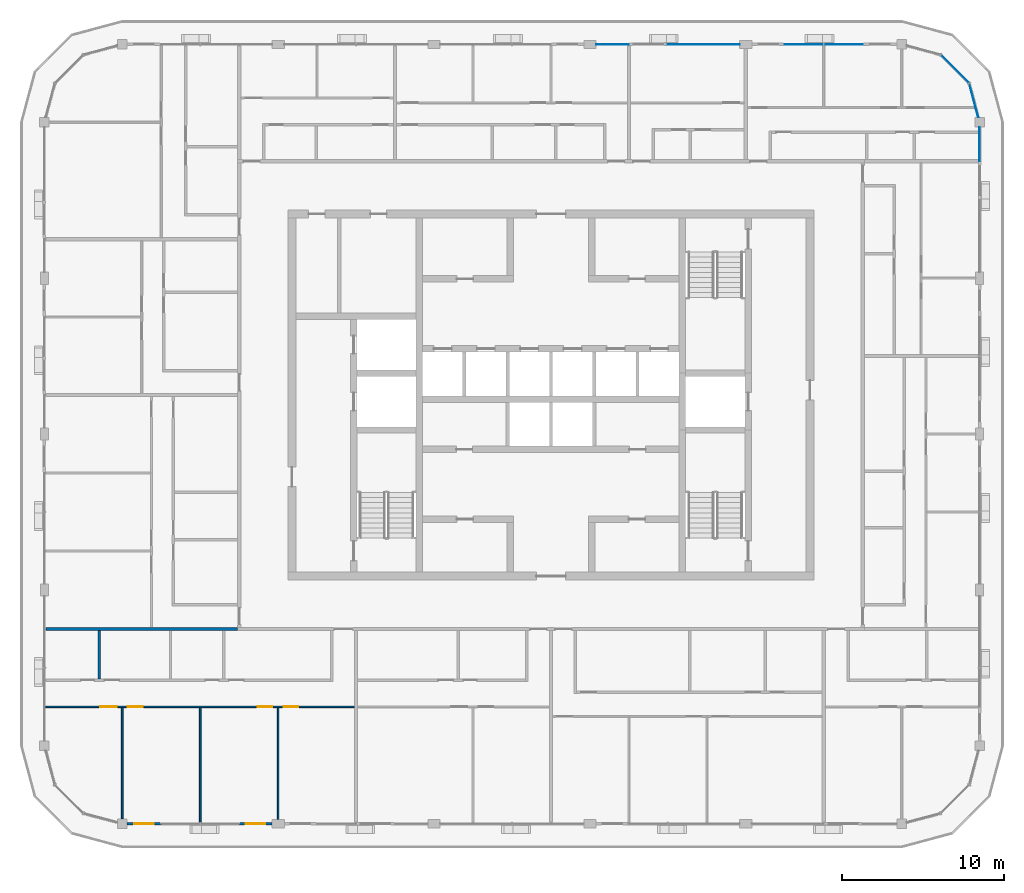
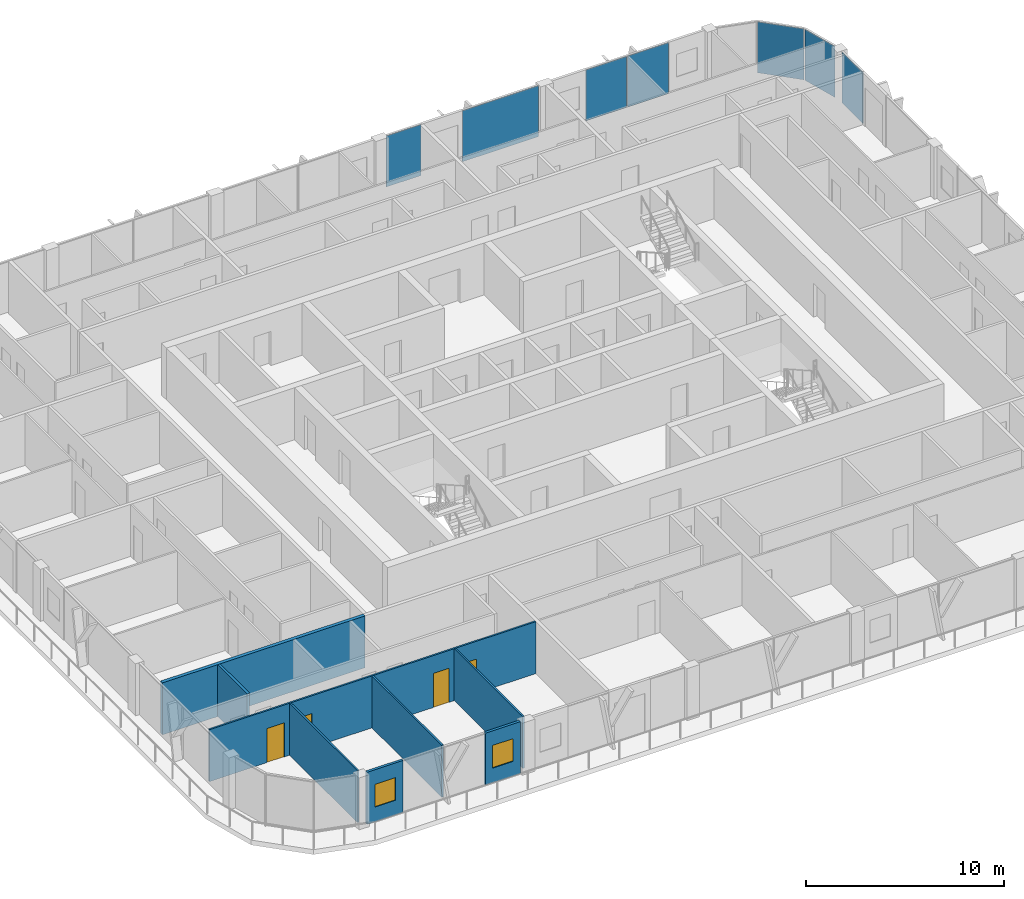
# One storey, part 8 of 21: 8 walls, 7 plates, 4 doors, 2 windows, 6 openings, 4 elements without a shape of their own.
"""IFC4 building model written with IfcOpenShell, lengths in metres."""

from ifc_helpers import new_model, si_unit, direction, frame, frame_2d, origin, origin_2d, place, context, subcontext, project, spatial, rectangle, extrude, material, layer, layer_set, type_object, element, fill, aggregate, save


model = new_model("IFC4")

# Units and contexts
model_context = context("Model", 3, precision=1e-05, world=origin(), true_north=direction((0.0, 1.0)))
body_context = subcontext(model_context, "Body", "Model", "MODEL_VIEW")
ifc_project = project(units=[si_unit("LENGTHUNIT", "METRE"), si_unit("AREAUNIT", "SQUARE_METRE"), si_unit("VOLUMEUNIT", "CUBIC_METRE"), si_unit("PLANEANGLEUNIT", "RADIAN"), si_unit("MASSUNIT", "GRAM", prefix="KILO")], contexts=[model_context])

# Site, building, storey
site_placement = place(None, origin())
site = spatial("IfcSite", under=ifc_project, at=site_placement, CompositionType="ELEMENT")
building_placement = place(site_placement, origin())
building = spatial("IfcBuilding", under=site, at=building_placement, Name="Madar Terraces", CompositionType="ELEMENT")
storey_placement = place(building_placement, frame((0.0, 0.0, 275.60009765625)))
storey = spatial("IfcBuildingStorey", under=building, at=storey_placement, Name="L72", CompositionType="ELEMENT", Elevation=275.60009765625)

# Curtain wall, plate
ifc_material_1 = material(Name="Glass, ceramic frit dark grey, with black aluminium frame", Category="aluminium")
ifc_layer_1 = layer(ifc_material_1, 0.199951171875)
ifc_layer_set_1 = layer_set([ifc_layer_1], Name="Facade curtain wall, fritted glass")
curtain_wall_type = type_object("IfcCurtainWallType", Name="Facade curtain wall, fritted glass", PredefinedType="NOTDEFINED", material=ifc_layer_set_1)
curtain_wall_1_placement = place(storey_placement, origin())
curtain_wall_1 = element("IfcCurtainWall", 1, at=curtain_wall_1_placement, inside=storey, type_object=curtain_wall_type, Name="Outer skin curtain wall east bay 4", PredefinedType="NOTDEFINED")
ifc_material_2 = material(Name="Glass, ceramic frit dark grey", Category="glass")
ifc_layer_2 = layer(ifc_material_2, 0.028076171875)
ifc_layer_set_2 = layer_set([ifc_layer_2], Name="Facade glass panel 28")
plate_type = type_object("IfcPlateType", Name="Facade glass panel 28", PredefinedType="CURTAIN_PANEL", material=ifc_layer_set_2)
plate_1_placement = place(storey_placement, frame((57.60009765625, 41.85009765625, 0.0), z_axis=(0.0, 0.0, 1.0), x_axis=(0.0, 1.0, 0.0)))
plate_1 = element("IfcPlate", 2, at=plate_1_placement, type_object=plate_type, Name="Panel 2", PredefinedType="CURTAIN_PANEL", context=body_context, shape_type="SweptSolid", body=[
    extrude(rectangle(XDim=2.10009765625, YDim=0.028076171875, at=origin_2d()), origin(), (0.0, 0.0, 1.0), 3.139892578125),
])
aggregate(curtain_wall_1, [plate_1])

# Curtain wall, plates
curtain_wall_2_placement = place(storey_placement, origin())
curtain_wall_2 = element("IfcCurtainWall", 3, at=curtain_wall_2_placement, inside=storey, type_object=curtain_wall_type, Name="Outer skin curtain wall north bay 1", PredefinedType="NOTDEFINED")
plate_2_placement = place(storey_placement, frame((49.215087890625, 48.0, 0.0), z_axis=(0.0, 0.0, 1.0), x_axis=(-1.0, 0.0, 0.0)))
plate_2 = element("IfcPlate", 4, at=plate_2_placement, type_object=plate_type, Name="Panel 1", PredefinedType="CURTAIN_PANEL", context=body_context, shape_type="SweptSolid", body=[
    extrude(rectangle(XDim=2.3701171875, YDim=0.028076171875, at=origin_2d()), origin(), (0.0, 0.0, 1.0), 3.139892578125),
])
plate_3_placement = place(storey_placement, frame((46.784912109375, 48.0, 0.0), z_axis=(0.0, 0.0, 1.0), x_axis=(-1.0, 0.0, 0.0)))
plate_3 = element("IfcPlate", 5, at=plate_3_placement, type_object=plate_type, Name="Panel 2", PredefinedType="CURTAIN_PANEL", context=body_context, shape_type="SweptSolid", body=[
    extrude(rectangle(XDim=2.3701171875, YDim=0.028076171875, at=origin_2d()), origin(), (0.0, 0.0, 1.0), 3.139892578125),
])
aggregate(curtain_wall_2, [plate_2, plate_3])

curtain_wall_3_placement = place(storey_placement, origin())
curtain_wall_3 = element("IfcCurtainWall", 6, at=curtain_wall_3_placement, inside=storey, type_object=curtain_wall_type, Name="Outer skin curtain wall north bay 2", PredefinedType="NOTDEFINED")
plate_4_placement = place(storey_placement, frame((40.612548828125, 48.0, 0.0), z_axis=(0.0, 0.0, 1.0), x_axis=(-1.0, 0.0, 0.0)))
plate_4 = element("IfcPlate", 7, at=plate_4_placement, type_object=plate_type, Name="Panel 1", PredefinedType="CURTAIN_PANEL", context=body_context, shape_type="SweptSolid", body=[
    extrude(rectangle(XDim=4.425048828125, YDim=0.028076171875, at=origin_2d()), origin(), (0.0, 0.0, 1.0), 3.139892578125),
])
plate_5_placement = place(storey_placement, frame((34.987548828125, 48.0, 0.0), z_axis=(0.0, 0.0, 1.0), x_axis=(-1.0, 0.0, 0.0)))
plate_5 = element("IfcPlate", 8, at=plate_5_placement, type_object=plate_type, Name="Panel 2", PredefinedType="CURTAIN_PANEL", context=body_context, shape_type="SweptSolid", body=[
    extrude(rectangle(XDim=2.02490234375, YDim=0.028076171875, at=origin_2d()), origin(), (0.0, 0.0, 1.0), 3.139892578125),
])
aggregate(curtain_wall_3, [plate_4, plate_5])

curtain_wall_4_placement = place(storey_placement, origin())
curtain_wall_4 = element("IfcCurtainWall", 9, at=curtain_wall_4_placement, inside=storey, type_object=curtain_wall_type, Name="Outer skin curtain wall north-east corner", PredefinedType="NOTDEFINED")
plate_6_placement = place(storey_placement, frame((57.2421875, 44.535400390625, 0.0), z_axis=(0.0, 0.0, 1.0), x_axis=(-0.258819021888, 0.965925832509, 0.0)))
plate_6 = element("IfcPlate", 10, at=plate_6_placement, type_object=plate_type, Name="Panel 1", PredefinedType="CURTAIN_PANEL", context=body_context, shape_type="SweptSolid", body=[
    extrude(rectangle(XDim=2.14404296875, YDim=0.028076171875, at=origin_2d()), origin(), (0.0, 0.0, 1.0), 3.139892578125),
])
plate_7_placement = place(storey_placement, frame((56.078369140625, 46.478515625, 0.0), z_axis=(0.0, 0.0, 1.0), x_axis=(-0.707106781187, 0.707106781187, 0.0)))
plate_7 = element("IfcPlate", 11, at=plate_7_placement, type_object=plate_type, Name="Panel 2", PredefinedType="CURTAIN_PANEL", context=body_context, shape_type="SweptSolid", body=[
    extrude(rectangle(XDim=2.424560546875, YDim=0.028076171875, at=origin_2d()), origin(), (0.0, 0.0, 1.0), 3.139892578125),
])
aggregate(curtain_wall_4, [plate_6, plate_7])

# Wall, opening, window
ifc_material_3 = material(Name="Aluminium composite panel, black, over insulated backing", Category="aluminium")
ifc_layer_3 = layer(ifc_material_3, 0.14990234375)
ifc_layer_set_3 = layer_set([ifc_layer_3], Name="Facade bay panel 150")
wall_type_1 = type_object("IfcWallType", Name="Facade bay panel 150", PredefinedType="SOLIDWALL", material=ifc_layer_set_3)
wall_1_placement = place(storey_placement, frame((5.10009765625, 0.0, 0.0), z_axis=(0.0, 0.0, 1.0), x_axis=(1.0, 0.0, 0.0)))
wall_1 = element("IfcWall", 12, at=wall_1_placement, inside=storey, type_object=wall_type_1, Name="Facade bay panel", PredefinedType="SOLIDWALL", context=body_context, shape_type="SweptSolid", body=[
    extrude(rectangle(XDim=2.099853515625, YDim=0.14990234375, at=frame_2d((1.0498046875, 0.0))), origin(), (0.0, 0.0, 1.0), 3.199951171875),
])
opening_1_placement = place(wall_1_placement, frame((0.449951171875, 0.0, 0.89990234375)))
opening_1 = element("IfcOpeningElement", 13, at=opening_1_placement, cuts=wall_1, Name="Opening W1", PredefinedType="OPENING", context=body_context, shape_type="SweptSolid", body=[
    extrude(rectangle(XDim=1.199951171875, YDim=1.39990234375, at=frame_2d((0.60009765625, 0.699951171875))), frame((0.0, 0.0849609375, 0.0), z_axis=(0.0, -1.0, 0.0), x_axis=(1.0, 0.0, 0.0)), (0.0, 0.0, 1.0), 0.169921875),
])
ifc_material_4 = material(Name="Glass, clear, with black aluminium frame", Category="aluminium")
window_type = type_object("IfcWindowType", Name="Vent window 1200 x 1400", PartitioningType="SINGLE_PANEL", PredefinedType="WINDOW", material=ifc_material_4)
window_1_placement = place(opening_1_placement, origin())
window_1 = element("IfcWindow", 14, at=window_1_placement, inside=storey, type_object=window_type, Name="Operable vent window", OverallHeight=1.39990234375, OverallWidth=1.199951171875, PartitioningType="SINGLE_PANEL", PredefinedType="WINDOW", context=body_context, shape_type="SweptSolid", body=[
    extrude(rectangle(XDim=1.199951171875, YDim=1.39990234375, at=frame_2d((0.60009765625, 0.699951171875))), frame((0.0, 0.030029296875, 0.0), z_axis=(0.0, -1.0, 0.0), x_axis=(1.0, 0.0, 0.0)), (0.0, 0.0, 1.0), 0.06005859375),
])
fill(opening_1, window_1)

wall_2_placement = place(storey_placement, frame((12.0, 0.0, 0.0), z_axis=(0.0, 0.0, 1.0), x_axis=(1.0, 0.0, 0.0)))
wall_2 = element("IfcWall", 15, at=wall_2_placement, inside=storey, type_object=wall_type_1, Name="Facade bay panel", PredefinedType="SOLIDWALL", context=body_context, shape_type="SweptSolid", body=[
    extrude(rectangle(XDim=2.02490234375, YDim=0.14990234375, at=frame_2d((1.012451171875, 0.0))), origin(), (0.0, 0.0, 1.0), 3.199951171875),
])
opening_2_placement = place(wall_2_placement, frame((0.41259765625, 0.0, 0.89990234375)))
opening_2 = element("IfcOpeningElement", 16, at=opening_2_placement, cuts=wall_2, Name="Opening W1", PredefinedType="OPENING", context=body_context, shape_type="SweptSolid", body=[
    extrude(rectangle(XDim=1.199951171875, YDim=1.39990234375, at=frame_2d((0.60009765625, 0.699951171875))), frame((0.0, 0.0849609375, 0.0), z_axis=(0.0, -1.0, 0.0), x_axis=(1.0, 0.0, 0.0)), (0.0, 0.0, 1.0), 0.169921875),
])
window_2_placement = place(opening_2_placement, origin())
window_2 = element("IfcWindow", 17, at=window_2_placement, inside=storey, type_object=window_type, Name="Operable vent window", OverallHeight=1.39990234375, OverallWidth=1.199951171875, PartitioningType="SINGLE_PANEL", PredefinedType="WINDOW", context=body_context, shape_type="SweptSolid", body=[
    extrude(rectangle(XDim=1.199951171875, YDim=1.39990234375, at=frame_2d((0.60009765625, 0.699951171875))), frame((0.0, 0.030029296875, 0.0), z_axis=(0.0, -1.0, 0.0), x_axis=(1.0, 0.0, 0.0)), (0.0, 0.0, 1.0), 0.06005859375),
])
fill(opening_2, window_2)

# Walls
ifc_material_5 = material(Name="Gypsum board on steel studs", Category="steel")
ifc_layer_4 = layer(ifc_material_5, 0.10009765625)
ifc_layer_set_4 = layer_set([ifc_layer_4], Name="Flat partition 100")
wall_type_2 = type_object("IfcWallType", Name="Flat partition 100", PredefinedType="PARTITIONING", material=ifc_layer_set_4)
wall_3_placement = place(storey_placement, frame((14.39990234375, 7.14990234375, 0.0), z_axis=(0.0, 0.0, 1.0), x_axis=(0.0, -1.0, 0.0)))
element("IfcWall", 18, at=wall_3_placement, inside=storey, type_object=wall_type_2, Name="Flat partition 100", PredefinedType="PARTITIONING", context=body_context, shape_type="SweptSolid", body=[
    extrude(rectangle(XDim=6.89990234375, YDim=0.10009765625, at=frame_2d((3.449951171875, 0.0))), origin(), (0.0, 0.0, 1.0), 3.199951171875),
])
wall_4_placement = place(storey_placement, frame((9.60009765625, 7.14990234375, 0.0), z_axis=(0.0, 0.0, 1.0), x_axis=(0.0, -1.0, 0.0)))
element("IfcWall", 19, at=wall_4_placement, inside=storey, type_object=wall_type_2, Name="Flat partition 100", PredefinedType="PARTITIONING", context=body_context, shape_type="SweptSolid", body=[
    extrude(rectangle(XDim=7.0498046875, YDim=0.10009765625, at=frame_2d((3.52490234375, 0.0))), origin(), (0.0, 0.0, 1.0), 3.199951171875),
])
wall_5_placement = place(storey_placement, frame((4.800048828125, 7.14990234375, 0.0), z_axis=(0.0, 0.0, 1.0), x_axis=(0.0, -1.0, 0.0)))
element("IfcWall", 20, at=wall_5_placement, inside=storey, type_object=wall_type_2, Name="Flat partition 100", PredefinedType="PARTITIONING", context=body_context, shape_type="SweptSolid", body=[
    extrude(rectangle(XDim=6.849853515625, YDim=0.10009765625, at=frame_2d((3.4248046875, 0.0))), origin(), (0.0, 0.0, 1.0), 3.199951171875),
])

# Wall, openings, doors
wall_6_placement = place(storey_placement, frame((19.10009765625, 7.199951171875, 0.0), z_axis=(0.0, 0.0, 1.0), x_axis=(-1.0, 0.0, 0.0)))
wall_6 = element("IfcWall", 21, at=wall_6_placement, inside=storey, type_object=wall_type_2, Name="Flat partition 100", PredefinedType="PARTITIONING", context=body_context, shape_type="SweptSolid", body=[
    extrude(rectangle(XDim=19.0, YDim=0.10009765625, at=frame_2d((9.5, 0.0))), origin(), (0.0, 0.0, 1.0), 3.199951171875),
])
opening_3_placement = place(wall_6_placement, frame((3.449951171875, 0.0, 0.0)))
opening_3 = element("IfcOpeningElement", 22, at=opening_3_placement, cuts=wall_6, Name="Opening D2", PredefinedType="OPENING", context=body_context, shape_type="SweptSolid", body=[
    extrude(rectangle(XDim=0.89990234375, YDim=2.10009765625, at=frame_2d((0.449951171875, 1.050048828125))), frame((0.0, 0.06005859375, 0.0), z_axis=(0.0, -1.0, 0.0), x_axis=(1.0, 0.0, 0.0)), (0.0, 0.0, 1.0), 0.1201171875),
])
opening_4_placement = place(wall_6_placement, frame((5.050048828125, 0.0, 0.0)))
opening_4 = element("IfcOpeningElement", 23, at=opening_4_placement, cuts=wall_6, Name="Opening D2", PredefinedType="OPENING", context=body_context, shape_type="SweptSolid", body=[
    extrude(rectangle(XDim=0.89990234375, YDim=2.10009765625, at=frame_2d((0.449951171875, 1.050048828125))), frame((0.0, 0.06005859375, 0.0), z_axis=(0.0, -1.0, 0.0), x_axis=(1.0, 0.0, 0.0)), (0.0, 0.0, 1.0), 0.1201171875),
])
opening_5_placement = place(wall_6_placement, frame((13.050048828125, 0.0, 0.0)))
opening_5 = element("IfcOpeningElement", 24, at=opening_5_placement, cuts=wall_6, Name="Opening D2", PredefinedType="OPENING", context=body_context, shape_type="SweptSolid", body=[
    extrude(rectangle(XDim=0.89990234375, YDim=2.10009765625, at=frame_2d((0.449951171875, 1.050048828125))), frame((0.0, 0.06005859375, 0.0), z_axis=(0.0, -1.0, 0.0), x_axis=(1.0, 0.0, 0.0)), (0.0, 0.0, 1.0), 0.1201171875),
])
opening_6_placement = place(wall_6_placement, frame((14.64990234375, 0.0, 0.0)))
opening_6 = element("IfcOpeningElement", 25, at=opening_6_placement, cuts=wall_6, Name="Opening D3", PredefinedType="OPENING", context=body_context, shape_type="SweptSolid", body=[
    extrude(rectangle(XDim=1.0, YDim=2.10009765625, at=frame_2d((0.5, 1.050048828125))), frame((0.0, 0.06005859375, 0.0), z_axis=(0.0, -1.0, 0.0), x_axis=(1.0, 0.0, 0.0)), (0.0, 0.0, 1.0), 0.1201171875),
])
ifc_material_6 = material(Name="Timber door leaf", Category="wood")
door_type_1 = type_object("IfcDoorType", Name="Flat living room door 1000", OperationType="NOTDEFINED", PredefinedType="DOOR", material=ifc_material_6)
door_1_placement = place(opening_6_placement, origin())
door_1 = element("IfcDoor", 26, at=door_1_placement, inside=storey, type_object=door_type_1, Name="Flat living room door 1000", OperationType="SINGLE_SWING_LEFT", OverallHeight=2.10009765625, OverallWidth=1.0, PredefinedType="DOOR", context=body_context, shape_type="SweptSolid", body=[
    extrude(rectangle(XDim=1.0, YDim=2.10009765625, at=frame_2d((0.5, 1.050048828125))), frame((0.0, 0.02490234375, 0.0), z_axis=(0.0, -1.0, 0.0), x_axis=(1.0, 0.0, 0.0)), (0.0, 0.0, 1.0), 0.050048828125),
])
fill(opening_6, door_1)
ifc_material_7 = material(Name="Timber door leaf", Category="wood")
door_type_2 = type_object("IfcDoorType", Name="Flat room door 900", OperationType="NOTDEFINED", PredefinedType="DOOR", material=ifc_material_7)
door_2_placement = place(opening_3_placement, origin())
door_2 = element("IfcDoor", 27, at=door_2_placement, inside=storey, type_object=door_type_2, Name="Flat room door 900", OperationType="SINGLE_SWING_RIGHT", OverallHeight=2.10009765625, OverallWidth=0.89990234375, PredefinedType="DOOR", context=body_context, shape_type="SweptSolid", body=[
    extrude(rectangle(XDim=0.89990234375, YDim=2.10009765625, at=frame_2d((0.449951171875, 1.050048828125))), frame((0.0, 0.02490234375, 0.0), z_axis=(0.0, -1.0, 0.0), x_axis=(1.0, 0.0, 0.0)), (0.0, 0.0, 1.0), 0.050048828125),
])
fill(opening_3, door_2)
door_3_placement = place(opening_4_placement, origin())
door_3 = element("IfcDoor", 28, at=door_3_placement, inside=storey, type_object=door_type_2, Name="Flat room door 900", OperationType="SINGLE_SWING_LEFT", OverallHeight=2.10009765625, OverallWidth=0.89990234375, PredefinedType="DOOR", context=body_context, shape_type="SweptSolid", body=[
    extrude(rectangle(XDim=0.89990234375, YDim=2.10009765625, at=frame_2d((0.449951171875, 1.050048828125))), frame((0.0, 0.02490234375, 0.0), z_axis=(0.0, -1.0, 0.0), x_axis=(1.0, 0.0, 0.0)), (0.0, 0.0, 1.0), 0.050048828125),
])
fill(opening_4, door_3)
door_4_placement = place(opening_5_placement, origin())
door_4 = element("IfcDoor", 29, at=door_4_placement, inside=storey, type_object=door_type_2, Name="Flat room door 900", OperationType="SINGLE_SWING_RIGHT", OverallHeight=2.10009765625, OverallWidth=0.89990234375, PredefinedType="DOOR", context=body_context, shape_type="SweptSolid", body=[
    extrude(rectangle(XDim=0.89990234375, YDim=2.10009765625, at=frame_2d((0.449951171875, 1.050048828125))), frame((0.0, 0.02490234375, 0.0), z_axis=(0.0, -1.0, 0.0), x_axis=(1.0, 0.0, 0.0)), (0.0, 0.0, 1.0), 0.050048828125),
])
fill(opening_5, door_4)

# Walls
ifc_material_8 = material(Name="Lightweight blockwork", Category="masonry")
ifc_layer_5 = layer(ifc_material_8, 0.199951171875)
ifc_layer_set_5 = layer_set([ifc_layer_5], Name="Flat party and entrance wall 200")
wall_type_3 = type_object("IfcWallType", Name="Flat party and entrance wall 200", PredefinedType="PARTITIONING", material=ifc_layer_set_5)
wall_7_placement = place(storey_placement, frame((0.10009765625, 12.0, 0.0), z_axis=(0.0, 0.0, 1.0), x_axis=(1.0, 0.0, 0.0)))
element("IfcWall", 30, at=wall_7_placement, inside=storey, type_object=wall_type_3, Name="Flat party and entrance wall 200", PredefinedType="PARTITIONING", context=body_context, shape_type="SweptSolid", body=[
    extrude(rectangle(XDim=11.7998046875, YDim=0.199951171875, at=frame_2d((5.89990234375, 0.0))), origin(), (0.0, 0.0, 1.0), 3.199951171875),
])
ifc_material_9 = material(Name="Lightweight blockwork", Category="masonry")
ifc_layer_6 = layer(ifc_material_9, 0.14990234375)
ifc_layer_set_6 = layer_set([ifc_layer_6], Name="Flat wet-room partition 150")
wall_type_4 = type_object("IfcWallType", Name="Flat wet-room partition 150", PredefinedType="PARTITIONING", material=ifc_layer_set_6)
wall_8_placement = place(storey_placement, frame((3.385986328125, 11.89990234375, 0.0), z_axis=(0.0, 0.0, 1.0), x_axis=(0.0, -1.0, 0.0)))
element("IfcWall", 31, at=wall_8_placement, inside=storey, type_object=wall_type_4, Name="Flat wet-room partition 150", PredefinedType="PARTITIONING", context=body_context, shape_type="SweptSolid", body=[
    extrude(rectangle(XDim=2.974853515625, YDim=0.14990234375, at=frame_2d((1.4873046875, 0.0))), origin(), (0.0, 0.0, 1.0), 3.199951171875),
])

save(model, "model.ifc")
